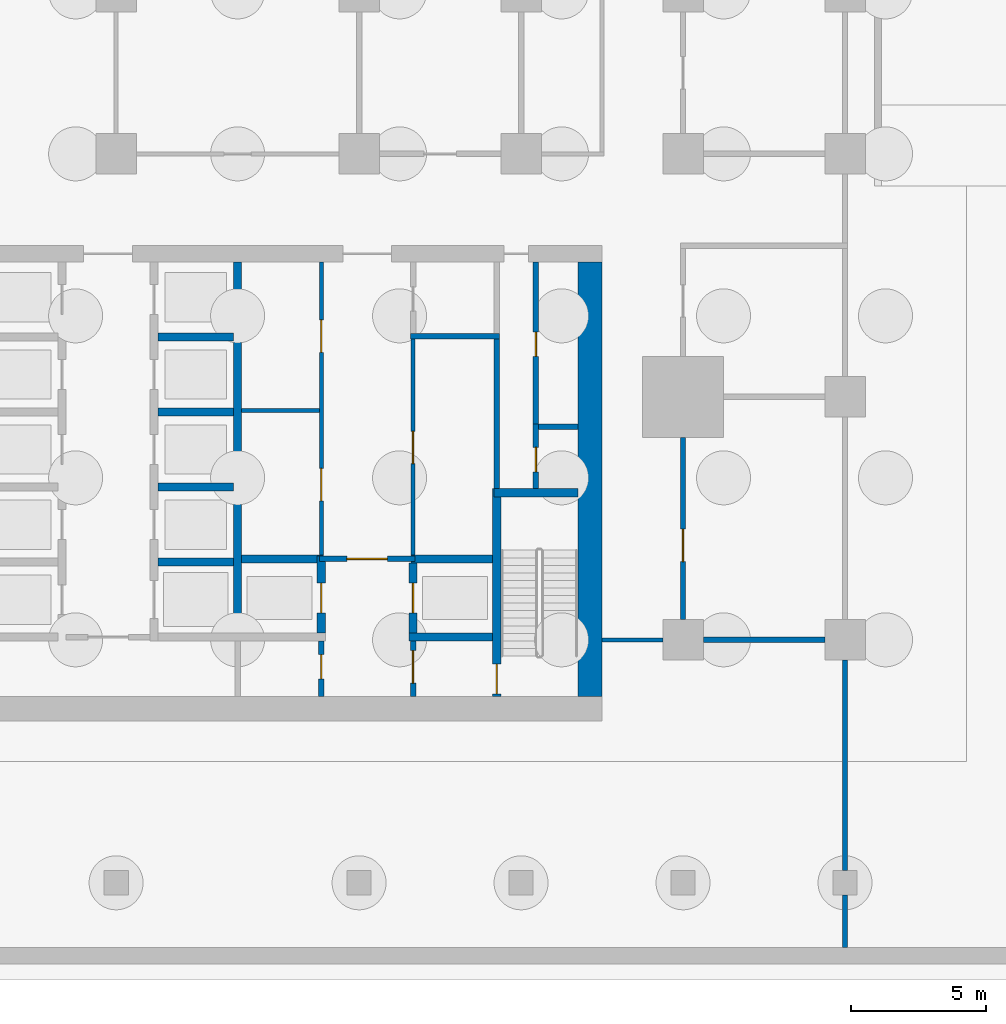
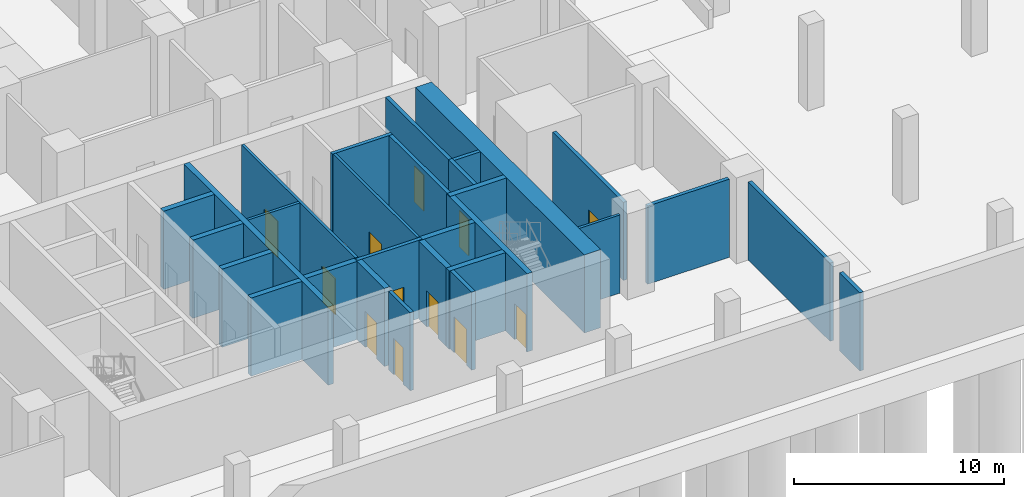
# One storey, part 6 of 12: 29 walls, 12 doors, 12 openings.
"""IFC4 building model written with IfcOpenShell, lengths in metres."""

from ifc_helpers import new_model, si_unit, direction, frame, frame_2d, origin, place, context, subcontext, project, spatial, rectangle, extrude, material, layer, layer_set, type_object, element, fill, save


model = new_model("IFC4")

# Units and contexts
model_context = context("Model", 3, precision=1e-05, world=origin(), true_north=direction((0.0, 1.0)))
body_context = subcontext(model_context, "Body", "Model", "MODEL_VIEW")
ifc_project = project(units=[si_unit("LENGTHUNIT", "METRE"), si_unit("AREAUNIT", "SQUARE_METRE"), si_unit("VOLUMEUNIT", "CUBIC_METRE"), si_unit("PLANEANGLEUNIT", "RADIAN"), si_unit("MASSUNIT", "GRAM", prefix="KILO")], contexts=[model_context])

# Site, building, storey
site_placement = place(None, origin())
site = spatial("IfcSite", under=ifc_project, at=site_placement, CompositionType="ELEMENT")
building_placement = place(site_placement, origin())
building = spatial("IfcBuilding", under=site, at=building_placement, Name="Finial Court Residences", CompositionType="ELEMENT")
storey_placement = place(building_placement, frame((0.0, 0.0, -5.0)))
storey = spatial("IfcBuildingStorey", under=building, at=storey_placement, Name="B1", CompositionType="ELEMENT", Elevation=-5.0)

# Walls
ifc_material_1 = material(Name="Concrete C25/30", Category="concrete")
ifc_layer_1 = layer(ifc_material_1, 0.14990234375)
ifc_layer_set_1 = layer_set([ifc_layer_1], Name="Basement partition 150 Concrete C25/30")
wall_type_1 = type_object("IfcWallType", Name="Basement partition 150 Concrete C25/30", PredefinedType="PARTITIONING", material=ifc_layer_set_1)
wall_1_placement = place(storey_placement, frame((13.5, -22.5, 0.0), z_axis=(0.0, 0.0, 1.0), x_axis=(1.0, 0.0, 0.0)))
element("IfcWall", 1, at=wall_1_placement, inside=storey, type_object=wall_type_1, Name="Basement partition B1-V004", PredefinedType="PARTITIONING", context=body_context, shape_type="SweptSolid", body=[
    extrude(rectangle(XDim=2.25, YDim=0.14990234375, at=frame_2d((1.125, 0.0))), origin(), (0.0, 0.0, 1.0), 4.550048828125),
])
ifc_material_2 = material(Name="Concrete C80/95", Category="concrete")
ifc_layer_2 = layer(ifc_material_2, 0.89990234375)
ifc_layer_set_2 = layer_set([ifc_layer_2], Name="Core outer wall 900 Concrete C80/95")
wall_type_2 = type_object("IfcWallType", Name="Core outer wall 900 Concrete C80/95", PredefinedType="SHEAR", material=ifc_layer_set_2)
wall_2_placement = place(storey_placement, frame((13.050048828125, -24.60009765625, 0.0), z_axis=(0.0, 0.0, 1.0), x_axis=(0.0, 1.0, 0.0)))
element("IfcWall", 2, at=wall_2_placement, inside=storey, type_object=wall_type_2, Name="Core outer wall B1-04", PredefinedType="SHEAR", context=body_context, shape_type="SweptSolid", body=[
    extrude(rectangle(XDim=16.10009765625, YDim=0.89990234375, at=frame_2d((8.050048828125, 0.0))), origin(), (0.0, 0.0, 1.0), 4.550048828125),
])
ifc_material_3 = material(Name="Fire-rated gypsum board partition")
ifc_layer_3 = layer(ifc_material_3, 0.14990234375)
ifc_layer_set_3 = layer_set([ifc_layer_3], Name="Core room partition 150 EI 60")
wall_type_3 = type_object("IfcWallType", Name="Core room partition 150 EI 60", PredefinedType="PARTITIONING", material=ifc_layer_set_3)
wall_3_placement = place(storey_placement, frame((0.14990234375, -14.0, 0.0), z_axis=(0.0, 0.0, 1.0), x_axis=(1.0, 0.0, 0.0)))
element("IfcWall", 3, at=wall_3_placement, inside=storey, type_object=wall_type_3, Name="Core partition B1-17", PredefinedType="PARTITIONING", context=body_context, shape_type="SweptSolid", body=[
    extrude(rectangle(XDim=2.875, YDim=0.14990234375, at=frame_2d((1.4375, 0.0))), origin(), (0.0, 0.0, 1.0), 4.550048828125),
])

# Wall, openings, doors
wall_4_placement = place(storey_placement, frame((3.10009765625, -19.39990234375, 0.0), z_axis=(0.0, 0.0, 1.0), x_axis=(0.0, 1.0, 0.0)))
wall_4 = element("IfcWall", 4, at=wall_4_placement, inside=storey, type_object=wall_type_3, Name="Core partition B1-29", PredefinedType="PARTITIONING", context=body_context, shape_type="SweptSolid", body=[
    extrude(rectangle(XDim=10.89990234375, YDim=0.14990234375, at=frame_2d((5.449951171875, 0.0))), origin(), (0.0, 0.0, 1.0), 4.550048828125),
])
opening_1_placement = place(wall_4_placement, frame((2.050048828125, 0.0, 0.0)))
opening_1 = element("IfcOpeningElement", 5, at=opening_1_placement, cuts=wall_4, Name="Opening B1-C12", PredefinedType="OPENING", context=body_context, shape_type="SweptSolid", body=[
    extrude(rectangle(XDim=1.199951171875, YDim=2.10009765625, at=frame_2d((0.60009765625, 1.050048828125))), frame((0.0, 0.0849609375, 0.0), z_axis=(0.0, -1.0, 0.0), x_axis=(1.0, 0.0, 0.0)), (0.0, 0.0, 1.0), 0.169921875),
])
opening_2_placement = place(wall_4_placement, frame((7.550048828125, 0.0, 0.0)))
opening_2 = element("IfcOpeningElement", 6, at=opening_2_placement, cuts=wall_4, Name="Opening B1-C13", PredefinedType="OPENING", context=body_context, shape_type="SweptSolid", body=[
    extrude(rectangle(XDim=1.199951171875, YDim=2.10009765625, at=frame_2d((0.60009765625, 1.050048828125))), frame((0.0, 0.0849609375, 0.0), z_axis=(0.0, -1.0, 0.0), x_axis=(1.0, 0.0, 0.0)), (0.0, 0.0, 1.0), 0.169921875),
])
ifc_material_4 = material(Name="Steel fire door", Category="steel")
door_type_1 = type_object("IfcDoorType", Name="Core room door 1200 x 2100 EI 60", OperationType="NOTDEFINED", PredefinedType="DOOR", material=ifc_material_4)
door_1_placement = place(opening_1_placement, origin())
door_1 = element("IfcDoor", 7, at=door_1_placement, inside=storey, type_object=door_type_1, Name="Core room door B1-C12", OperationType="SINGLE_SWING_LEFT", OverallHeight=2.10009765625, OverallWidth=1.199951171875, PredefinedType="DOOR", context=body_context, shape_type="SweptSolid", body=[
    extrude(rectangle(XDim=1.199951171875, YDim=2.10009765625, at=frame_2d((0.60009765625, 1.050048828125))), frame((0.0, 0.02490234375, 0.0), z_axis=(0.0, -1.0, 0.0), x_axis=(1.0, 0.0, 0.0)), (0.0, 0.0, 1.0), 0.050048828125),
])
fill(opening_1, door_1)
door_2_placement = place(opening_2_placement, origin())
door_2 = element("IfcDoor", 8, at=door_2_placement, inside=storey, type_object=door_type_1, Name="Core room door B1-C13", OperationType="SINGLE_SWING_LEFT", OverallHeight=2.10009765625, OverallWidth=1.199951171875, PredefinedType="DOOR", context=body_context, shape_type="SweptSolid", body=[
    extrude(rectangle(XDim=1.199951171875, YDim=2.10009765625, at=frame_2d((0.60009765625, 1.050048828125))), frame((0.0, 0.02490234375, 0.0), z_axis=(0.0, -1.0, 0.0), x_axis=(1.0, 0.0, 0.0)), (0.0, 0.0, 1.0), 0.050048828125),
])
fill(opening_2, door_2)

# Wall, opening, door
wall_5_placement = place(storey_placement, frame((6.5, -11.35009765625, 0.0), z_axis=(0.0, 0.0, 1.0), x_axis=(0.0, -1.0, 0.0)))
wall_5 = element("IfcWall", 9, at=wall_5_placement, inside=storey, type_object=wall_type_3, Name="Core partition B1-32", PredefinedType="PARTITIONING", context=body_context, shape_type="SweptSolid", body=[
    extrude(rectangle(XDim=8.0, YDim=0.14990234375, at=frame_2d((4.0, 0.0))), origin(), (0.0, 0.0, 1.0), 4.550048828125),
])
opening_3_placement = place(wall_5_placement, frame((3.425048828125, 0.0, 0.0)))
opening_3 = element("IfcOpeningElement", 10, at=opening_3_placement, cuts=wall_5, Name="Opening B1-C14", PredefinedType="OPENING", context=body_context, shape_type="SweptSolid", body=[
    extrude(rectangle(XDim=1.199951171875, YDim=2.10009765625, at=frame_2d((0.60009765625, 1.050048828125))), frame((0.0, 0.0849609375, 0.0), z_axis=(0.0, -1.0, 0.0), x_axis=(1.0, 0.0, 0.0)), (0.0, 0.0, 1.0), 0.169921875),
])
door_3_placement = place(opening_3_placement, origin())
door_3 = element("IfcDoor", 11, at=door_3_placement, inside=storey, type_object=door_type_1, Name="Core room door B1-C14", OperationType="SINGLE_SWING_RIGHT", OverallHeight=2.10009765625, OverallWidth=1.199951171875, PredefinedType="DOOR", context=body_context, shape_type="SweptSolid", body=[
    extrude(rectangle(XDim=1.199951171875, YDim=2.10009765625, at=frame_2d((0.60009765625, 1.050048828125))), frame((0.0, 0.02490234375, 0.0), z_axis=(0.0, -1.0, 0.0), x_axis=(1.0, 0.0, 0.0)), (0.0, 0.0, 1.0), 0.050048828125),
])
fill(opening_3, door_3)

ifc_layer_4 = layer(ifc_material_3, 0.199951171875)
ifc_layer_set_4 = layer_set([ifc_layer_4], Name="Firefighting lobby wall 200 EI 120")
wall_type_4 = type_object("IfcWallType", Name="Firefighting lobby wall 200 EI 120", PredefinedType="PARTITIONING", material=ifc_layer_set_4)
wall_6_placement = place(storey_placement, frame((6.574951171875, -19.5, 0.0), z_axis=(0.0, 0.0, 1.0), x_axis=(-1.0, 0.0, 0.0)))
wall_6 = element("IfcWall", 12, at=wall_6_placement, inside=storey, type_object=wall_type_4, Name="Core partition B1-08", PredefinedType="PARTITIONING", context=body_context, shape_type="SweptSolid", body=[
    extrude(rectangle(XDim=3.550048828125, YDim=0.199951171875, at=frame_2d((1.77490234375, 0.0))), origin(), (0.0, 0.0, 1.0), 4.550048828125),
])
opening_4_placement = place(wall_6_placement, frame((1.02490234375, 0.0, 0.0)))
opening_4 = element("IfcOpeningElement", 13, at=opening_4_placement, cuts=wall_6, Name="Opening B1-C02", PredefinedType="OPENING", context=body_context, shape_type="SweptSolid", body=[
    extrude(rectangle(XDim=1.5, YDim=2.10009765625, at=frame_2d((0.75, 1.050048828125))), frame((0.0, 0.10986328125, 0.0), z_axis=(0.0, -1.0, 0.0), x_axis=(1.0, 0.0, 0.0)), (0.0, 0.0, 1.0), 0.219970703125),
])
door_type_2 = type_object("IfcDoorType", Name="Firefighting lobby door 1500 x 2100 EI 90", OperationType="DOUBLE_DOOR_SINGLE_SWING", PredefinedType="DOOR", material=ifc_material_4)
door_4_placement = place(opening_4_placement, origin())
door_4 = element("IfcDoor", 14, at=door_4_placement, inside=storey, type_object=door_type_2, Name="Firefighting lobby door B1-C02", OperationType="DOUBLE_DOOR_SINGLE_SWING", OverallHeight=2.10009765625, OverallWidth=1.5, PredefinedType="DOOR", context=body_context, shape_type="SweptSolid", body=[
    extrude(rectangle(XDim=1.5, YDim=2.10009765625, at=frame_2d((0.75, 1.050048828125))), frame((0.0, 0.02490234375, 0.0), z_axis=(0.0, -1.0, 0.0), x_axis=(1.0, 0.0, 0.0)), (0.0, 0.0, 1.0), 0.050048828125),
])
fill(opening_4, door_4)

wall_7_placement = place(storey_placement, frame((3.10009765625, -24.60009765625, 0.0), z_axis=(0.0, 0.0, 1.0), x_axis=(0.0, 1.0, 0.0)))
wall_7 = element("IfcWall", 15, at=wall_7_placement, inside=storey, type_object=wall_type_4, Name="Core partition B1-27", PredefinedType="PARTITIONING", context=body_context, shape_type="SweptSolid", body=[
    extrude(rectangle(XDim=2.050048828125, YDim=0.199951171875, at=frame_2d((1.02490234375, 0.0))), origin(), (0.0, 0.0, 1.0), 4.550048828125),
])
opening_5_placement = place(wall_7_placement, frame((0.64990234375, 0.0, 0.0)))
opening_5 = element("IfcOpeningElement", 16, at=opening_5_placement, cuts=wall_7, Name="Opening B1-C06", PredefinedType="OPENING", context=body_context, shape_type="SweptSolid", body=[
    extrude(rectangle(XDim=0.89990234375, YDim=2.10009765625, at=frame_2d((0.449951171875, 1.050048828125))), frame((0.0, 0.10986328125, 0.0), z_axis=(0.0, -1.0, 0.0), x_axis=(1.0, 0.0, 0.0)), (0.0, 0.0, 1.0), 0.219970703125),
])
door_type_3 = type_object("IfcDoorType", Name="Riser room door 900 x 2100 EI 90", OperationType="NOTDEFINED", PredefinedType="DOOR", material=ifc_material_4)
door_5_placement = place(opening_5_placement, origin())
door_5 = element("IfcDoor", 17, at=door_5_placement, inside=storey, type_object=door_type_3, Name="Riser room door B1-C06", OperationType="SINGLE_SWING_LEFT", OverallHeight=2.10009765625, OverallWidth=0.89990234375, PredefinedType="DOOR", context=body_context, shape_type="SweptSolid", body=[
    extrude(rectangle(XDim=0.89990234375, YDim=2.10009765625, at=frame_2d((0.449951171875, 1.050048828125))), frame((0.0, 0.02490234375, 0.0), z_axis=(0.0, -1.0, 0.0), x_axis=(1.0, 0.0, 0.0)), (0.0, 0.0, 1.0), 0.050048828125),
])
fill(opening_5, door_5)

wall_8_placement = place(storey_placement, frame((6.5, -22.550048828125, 0.0), z_axis=(0.0, 0.0, 1.0), x_axis=(0.0, -1.0, 0.0)))
wall_8 = element("IfcWall", 18, at=wall_8_placement, inside=storey, type_object=wall_type_4, Name="Core partition B1-30", PredefinedType="PARTITIONING", context=body_context, shape_type="SweptSolid", body=[
    extrude(rectangle(XDim=2.050048828125, YDim=0.199951171875, at=frame_2d((1.02490234375, 0.0))), origin(), (0.0, 0.0, 1.0), 4.550048828125),
])
opening_6_placement = place(wall_8_placement, frame((0.35009765625, 0.0, 0.0)))
opening_6 = element("IfcOpeningElement", 19, at=opening_6_placement, cuts=wall_8, Name="Opening B1-C01", PredefinedType="OPENING", context=body_context, shape_type="SweptSolid", body=[
    extrude(rectangle(XDim=1.199951171875, YDim=2.10009765625, at=frame_2d((0.60009765625, 1.050048828125))), frame((0.0, 0.10986328125, 0.0), z_axis=(0.0, -1.0, 0.0), x_axis=(1.0, 0.0, 0.0)), (0.0, 0.0, 1.0), 0.219970703125),
])
door_type_4 = type_object("IfcDoorType", Name="Firefighting lobby door 1200 x 2100 EI 90", OperationType="NOTDEFINED", PredefinedType="DOOR", material=ifc_material_4)
door_6_placement = place(opening_6_placement, origin())
door_6 = element("IfcDoor", 20, at=door_6_placement, inside=storey, type_object=door_type_4, Name="Firefighting lobby door B1-C01", OperationType="SINGLE_SWING_RIGHT", OverallHeight=2.10009765625, OverallWidth=1.199951171875, PredefinedType="DOOR", context=body_context, shape_type="SweptSolid", body=[
    extrude(rectangle(XDim=1.199951171875, YDim=2.10009765625, at=frame_2d((0.60009765625, 1.050048828125))), frame((0.0, 0.02490234375, 0.0), z_axis=(0.0, -1.0, 0.0), x_axis=(1.0, 0.0, 0.0)), (0.0, 0.0, 1.0), 0.050048828125),
])
fill(opening_6, door_6)

# Walls
ifc_material_5 = material(Name="Concrete C32/40", Category="concrete")
ifc_layer_5 = layer(ifc_material_5, 0.199951171875)
ifc_layer_set_5 = layer_set([ifc_layer_5], Name="Garage separation wall 200 Concrete C32/40")
wall_type_5 = type_object("IfcWallType", Name="Garage separation wall 200 Concrete C32/40", PredefinedType="SOLIDWALL", material=ifc_layer_set_5)
wall_9_placement = place(storey_placement, frame((22.5, -33.89990234375, 0.0), z_axis=(0.0, 0.0, 1.0), x_axis=(0.0, 1.0, 0.0)))
element("IfcWall", 21, at=wall_9_placement, inside=storey, type_object=wall_type_5, Name="Garage separation wall B1-V096", PredefinedType="SOLIDWALL", context=body_context, shape_type="SweptSolid", body=[
    extrude(rectangle(XDim=1.949951171875, YDim=0.199951171875, at=frame_2d((0.97509765625, 0.0))), origin(), (0.0, 0.0, 1.0), 4.550048828125),
])
wall_10_placement = place(storey_placement, frame((22.5, -31.050048828125, 0.0), z_axis=(0.0, 0.0, 1.0), x_axis=(0.0, 1.0, 0.0)))
element("IfcWall", 22, at=wall_10_placement, inside=storey, type_object=wall_type_5, Name="Garage separation wall B1-V097", PredefinedType="SOLIDWALL", context=body_context, shape_type="SweptSolid", body=[
    extrude(rectangle(XDim=7.800048828125, YDim=0.199951171875, at=frame_2d((3.89990234375, 0.0))), origin(), (0.0, 0.0, 1.0), 4.550048828125),
])
ifc_layer_6 = layer(ifc_material_2, 0.300048828125)
ifc_layer_set_6 = layer_set([ifc_layer_6], Name="Lift shaft and stair wall 300 Concrete C80/95")
wall_type_6 = type_object("IfcWallType", Name="Lift shaft and stair wall 300 Concrete C80/95", PredefinedType="SHEAR", material=ifc_layer_set_6)
wall_11_placement = place(storey_placement, frame((6.35009765625, -22.39990234375, 0.0), z_axis=(0.0, 0.0, 1.0), x_axis=(1.0, 0.0, 0.0)))
element("IfcWall", 23, at=wall_11_placement, inside=storey, type_object=wall_type_6, Name="Core wall B1-04", PredefinedType="SHEAR", context=body_context, shape_type="SweptSolid", body=[
    extrude(rectangle(XDim=3.099853515625, YDim=0.300048828125, at=frame_2d((1.5498046875, 0.0))), origin(), (0.0, 0.0, 1.0), 4.550048828125),
])
wall_12_placement = place(storey_placement, frame((-2.949951171875, -19.6201171875, 0.0), z_axis=(0.0, 0.0, 1.0), x_axis=(1.0, 0.0, 0.0)))
element("IfcWall", 24, at=wall_12_placement, inside=storey, type_object=wall_type_6, Name="Core wall B1-06", PredefinedType="SHEAR", context=body_context, shape_type="SweptSolid", body=[
    extrude(rectangle(XDim=2.800048828125, YDim=0.300048828125, at=frame_2d((1.39990234375, 0.0))), origin(), (0.0, 0.0, 1.0), 4.550048828125),
])
wall_13_placement = place(storey_placement, frame((0.14990234375, -19.5, 0.0), z_axis=(0.0, 0.0, 1.0), x_axis=(1.0, 0.0, 0.0)))
element("IfcWall", 25, at=wall_13_placement, inside=storey, type_object=wall_type_6, Name="Core wall B1-07", PredefinedType="SHEAR", context=body_context, shape_type="SweptSolid", body=[
    extrude(rectangle(XDim=3.025146484375, YDim=0.300048828125, at=frame_2d((1.5126953125, 0.0))), origin(), (0.0, 0.0, 1.0), 4.550048828125),
])
wall_14_placement = place(storey_placement, frame((6.425048828125, -19.5, 0.0), z_axis=(0.0, 0.0, 1.0), x_axis=(1.0, 0.0, 0.0)))
element("IfcWall", 26, at=wall_14_placement, inside=storey, type_object=wall_type_6, Name="Core wall B1-09", PredefinedType="SHEAR", context=body_context, shape_type="SweptSolid", body=[
    extrude(rectangle(XDim=3.02490234375, YDim=0.300048828125, at=frame_2d((1.512451171875, 0.0))), origin(), (0.0, 0.0, 1.0), 4.550048828125),
])
wall_15_placement = place(storey_placement, frame((9.5, -17.050048828125, 0.0), z_axis=(0.0, 0.0, 1.0), x_axis=(1.0, 0.0, 0.0)))
element("IfcWall", 27, at=wall_15_placement, inside=storey, type_object=wall_type_6, Name="Core wall B1-11", PredefinedType="SHEAR", context=body_context, shape_type="SweptSolid", body=[
    extrude(rectangle(XDim=3.10009765625, YDim=0.300048828125, at=frame_2d((1.550048828125, 0.0))), origin(), (0.0, 0.0, 1.0), 4.550048828125),
])
for number, where, z_axis, x_axis, name in (
    (28, (-2.949951171875, -16.840087890625, 0.0), (0.0, 0.0, 1.0), (1.0, 0.0, 0.0), "Core wall B1-13"),
    (29, (-2.949951171875, -14.06005859375, 0.0), (0.0, 0.0, 1.0), (1.0, 0.0, 0.0), "Core wall B1-16"),
    (30, (-2.949951171875, -11.280029296875, 0.0), (0.0, 0.0, 1.0), (1.0, 0.0, 0.0), "Core wall B1-19"),
):
    element("IfcWall", number, at=place(storey_placement, frame(where, z_axis=z_axis, x_axis=x_axis)), inside=storey, type_object=wall_type_6, Name=name, PredefinedType="SHEAR", context=body_context, shape_type="SweptSolid", body=[
        extrude(rectangle(XDim=2.800048828125, YDim=0.300048828125, at=frame_2d((1.39990234375, 0.0))), origin(), (0.0, 0.0, 1.0), 4.550048828125),
    ])
wall_16_placement = place(storey_placement, frame((0.0, -22.25, 0.0), z_axis=(0.0, 0.0, 1.0), x_axis=(0.0, 1.0, 0.0)))
element("IfcWall", 31, at=wall_16_placement, inside=storey, type_object=wall_type_6, Name="Core wall B1-26", PredefinedType="SHEAR", context=body_context, shape_type="SweptSolid", body=[
    extrude(rectangle(XDim=13.75, YDim=0.300048828125, at=frame_2d((6.875, 0.0))), origin(), (0.0, 0.0, 1.0), 4.550048828125),
])

# Wall, opening, door
wall_17_placement = place(storey_placement, frame((3.10009765625, -22.25, 0.0), z_axis=(0.0, 0.0, 1.0), x_axis=(0.0, 1.0, 0.0)))
wall_17 = element("IfcWall", 32, at=wall_17_placement, inside=storey, type_object=wall_type_6, Name="Core wall B1-28", PredefinedType="SHEAR", context=body_context, shape_type="SweptSolid", body=[
    extrude(rectangle(XDim=2.85009765625, YDim=0.300048828125, at=frame_2d((1.425048828125, 0.0))), origin(), (0.0, 0.0, 1.0), 4.550048828125),
])
opening_7_placement = place(wall_17_placement, frame((0.75, 0.0, 0.0)))
opening_7 = element("IfcOpeningElement", 33, at=opening_7_placement, cuts=wall_17, Name="Opening B1-LD01", PredefinedType="OPENING", context=body_context, shape_type="SweptSolid", body=[
    extrude(rectangle(XDim=1.10009765625, YDim=2.10009765625, at=frame_2d((0.550048828125, 1.050048828125))), frame((0.0, 0.159912109375, 0.0), z_axis=(0.0, -1.0, 0.0), x_axis=(1.0, 0.0, 0.0)), (0.0, 0.0, 1.0), 0.320068359375),
])
ifc_material_6 = material(Name="Stainless steel lift door", Category="steel")
door_type_5 = type_object("IfcDoorType", Name="Lift landing door 1100 x 2100 EI 90", OperationType="DOUBLE_DOOR_SLIDING", PredefinedType="DOOR", material=ifc_material_6)
door_7_placement = place(opening_7_placement, origin())
door_7 = element("IfcDoor", 34, at=door_7_placement, inside=storey, type_object=door_type_5, Name="Lift landing door FF1 B1", OperationType="DOUBLE_DOOR_SLIDING", OverallHeight=2.10009765625, OverallWidth=1.10009765625, PredefinedType="DOOR", context=body_context, shape_type="SweptSolid", body=[
    extrude(rectangle(XDim=1.10009765625, YDim=2.10009765625, at=frame_2d((0.550048828125, 1.050048828125))), frame((0.0, 0.02490234375, 0.0), z_axis=(0.0, -1.0, 0.0), x_axis=(1.0, 0.0, 0.0)), (0.0, 0.0, 1.0), 0.050048828125),
])
fill(opening_7, door_7)

wall_18_placement = place(storey_placement, frame((6.5, -22.25, 0.0), z_axis=(0.0, 0.0, 1.0), x_axis=(0.0, 1.0, 0.0)))
wall_18 = element("IfcWall", 35, at=wall_18_placement, inside=storey, type_object=wall_type_6, Name="Core wall B1-31", PredefinedType="SHEAR", context=body_context, shape_type="SweptSolid", body=[
    extrude(rectangle(XDim=2.60009765625, YDim=0.300048828125, at=frame_2d((1.300048828125, 0.0))), origin(), (0.0, 0.0, 1.0), 4.550048828125),
])
opening_8_placement = place(wall_18_placement, frame((0.75, 0.0, 0.0)))
opening_8 = element("IfcOpeningElement", 36, at=opening_8_placement, cuts=wall_18, Name="Opening B1-LD02", PredefinedType="OPENING", context=body_context, shape_type="SweptSolid", body=[
    extrude(rectangle(XDim=1.10009765625, YDim=2.10009765625, at=frame_2d((0.550048828125, 1.050048828125))), frame((0.0, 0.159912109375, 0.0), z_axis=(0.0, -1.0, 0.0), x_axis=(1.0, 0.0, 0.0)), (0.0, 0.0, 1.0), 0.320068359375),
])
door_8_placement = place(opening_8_placement, origin())
door_8 = element("IfcDoor", 37, at=door_8_placement, inside=storey, type_object=door_type_5, Name="Lift landing door FF2 B1", OperationType="DOUBLE_DOOR_SLIDING", OverallHeight=2.10009765625, OverallWidth=1.10009765625, PredefinedType="DOOR", context=body_context, shape_type="SweptSolid", body=[
    extrude(rectangle(XDim=1.10009765625, YDim=2.10009765625, at=frame_2d((0.550048828125, 1.050048828125))), frame((0.0, 0.02490234375, 0.0), z_axis=(0.0, -1.0, 0.0), x_axis=(1.0, 0.0, 0.0)), (0.0, 0.0, 1.0), 0.050048828125),
])
fill(opening_8, door_8)

wall_19_placement = place(storey_placement, frame((9.60009765625, -16.89990234375, 0.0), z_axis=(0.0, 0.0, 1.0), x_axis=(0.0, -1.0, 0.0)))
wall_19 = element("IfcWall", 38, at=wall_19_placement, inside=storey, type_object=wall_type_6, Name="Core wall B1-34", PredefinedType="SHEAR", context=body_context, shape_type="SweptSolid", body=[
    extrude(rectangle(XDim=7.7001953125, YDim=0.300048828125, at=frame_2d((3.85009765625, 0.0))), origin(), (0.0, 0.0, 1.0), 4.550048828125),
])
opening_9_placement = place(wall_19_placement, frame((6.5, 0.0, 0.0)))
opening_9 = element("IfcOpeningElement", 39, at=opening_9_placement, cuts=wall_19, Name="Opening B1-C16", PredefinedType="OPENING", context=body_context, shape_type="SweptSolid", body=[
    extrude(rectangle(XDim=1.10009765625, YDim=2.10009765625, at=frame_2d((0.550048828125, 1.050048828125))), frame((0.0, 0.159912109375, 0.0), z_axis=(0.0, -1.0, 0.0), x_axis=(1.0, 0.0, 0.0)), (0.0, 0.0, 1.0), 0.320068359375),
])
door_type_6 = type_object("IfcDoorType", Name="Stair door 1100 x 2100 EI 90", OperationType="NOTDEFINED", PredefinedType="DOOR", material=ifc_material_4)
door_9_placement = place(opening_9_placement, origin())
door_9 = element("IfcDoor", 40, at=door_9_placement, inside=storey, type_object=door_type_6, Name="Stair door B1-C16", OperationType="SINGLE_SWING_RIGHT", OverallHeight=2.10009765625, OverallWidth=1.10009765625, PredefinedType="DOOR", context=body_context, shape_type="SweptSolid", body=[
    extrude(rectangle(XDim=1.10009765625, YDim=2.10009765625, at=frame_2d((0.550048828125, 1.050048828125))), frame((0.0, 0.02490234375, 0.0), z_axis=(0.0, -1.0, 0.0), x_axis=(1.0, 0.0, 0.0)), (0.0, 0.0, 1.0), 0.050048828125),
])
fill(opening_9, door_9)

# Wall
ifc_layer_7 = layer(ifc_material_5, 0.199951171875)
ifc_layer_set_7 = layer_set([ifc_layer_7], Name="Plant room wall 200 Concrete C32/40")
wall_type_7 = type_object("IfcWallType", Name="Plant room wall 200 Concrete C32/40", PredefinedType="SOLIDWALL", material=ifc_layer_set_7)
wall_20_placement = place(storey_placement, frame((17.25, -22.5, 0.0), z_axis=(0.0, 0.0, 1.0), x_axis=(1.0, 0.0, 0.0)))
element("IfcWall", 41, at=wall_20_placement, inside=storey, type_object=wall_type_7, Name="Plant room wall B1-V005", PredefinedType="SOLIDWALL", context=body_context, shape_type="SweptSolid", body=[
    extrude(rectangle(XDim=4.5, YDim=0.199951171875, at=frame_2d((2.25, 0.0))), origin(), (0.0, 0.0, 1.0), 4.550048828125),
])

# Wall, opening, door
wall_21_placement = place(storey_placement, frame((16.5, -21.75, 0.0), z_axis=(0.0, 0.0, 1.0), x_axis=(0.0, 1.0, 0.0)))
wall_21 = element("IfcWall", 42, at=wall_21_placement, inside=storey, type_object=wall_type_7, Name="Plant room wall B1-V088", PredefinedType="SOLIDWALL", context=body_context, shape_type="SweptSolid", body=[
    extrude(rectangle(XDim=6.75, YDim=0.199951171875, at=frame_2d((3.375, 0.0))), origin(), (0.0, 0.0, 1.0), 4.550048828125),
])
opening_10_placement = place(wall_21_placement, frame((2.14990234375, 0.0, 0.0)))
opening_10 = element("IfcOpeningElement", 43, at=opening_10_placement, cuts=wall_21, Name="Opening B1-V20", PredefinedType="OPENING", context=body_context, shape_type="SweptSolid", body=[
    extrude(rectangle(XDim=1.199951171875, YDim=2.10009765625, at=frame_2d((0.60009765625, 1.050048828125))), frame((0.0, 0.10986328125, 0.0), z_axis=(0.0, -1.0, 0.0), x_axis=(1.0, 0.0, 0.0)), (0.0, 0.0, 1.0), 0.219970703125),
])
door_type_7 = type_object("IfcDoorType", Name="Plant room door 1200 x 2100 EI 90", OperationType="NOTDEFINED", PredefinedType="DOOR", material=ifc_material_4)
door_10_placement = place(opening_10_placement, origin())
door_10 = element("IfcDoor", 44, at=door_10_placement, inside=storey, type_object=door_type_7, Name="Plant room door B1-V20", OperationType="SINGLE_SWING_LEFT", OverallHeight=2.10009765625, OverallWidth=1.199951171875, PredefinedType="DOOR", context=body_context, shape_type="SweptSolid", body=[
    extrude(rectangle(XDim=1.199951171875, YDim=2.10009765625, at=frame_2d((0.60009765625, 1.050048828125))), frame((0.0, 0.02490234375, 0.0), z_axis=(0.0, -1.0, 0.0), x_axis=(1.0, 0.0, 0.0)), (0.0, 0.0, 1.0), 0.050048828125),
])
fill(opening_10, door_10)

# Walls
ifc_layer_8 = layer(ifc_material_3, 0.199951171875)
ifc_layer_set_8 = layer_set([ifc_layer_8], Name="Riser room wall 200 EI 120")
wall_type_8 = type_object("IfcWallType", Name="Riser room wall 200 EI 120", PredefinedType="PARTITIONING", material=ifc_layer_set_8)
wall_22_placement = place(storey_placement, frame((11.14990234375, -14.60009765625, 0.0), z_axis=(0.0, 0.0, 1.0), x_axis=(1.0, 0.0, 0.0)))
element("IfcWall", 45, at=wall_22_placement, inside=storey, type_object=wall_type_8, Name="Core partition B1-14", PredefinedType="PARTITIONING", context=body_context, shape_type="SweptSolid", body=[
    extrude(rectangle(XDim=1.4501953125, YDim=0.199951171875, at=frame_2d((0.72509765625, 0.0))), origin(), (0.0, 0.0, 1.0), 4.550048828125),
])
wall_23_placement = place(storey_placement, frame((6.39990234375, -11.25, 0.0), z_axis=(0.0, 0.0, 1.0), x_axis=(1.0, 0.0, 0.0)))
element("IfcWall", 46, at=wall_23_placement, inside=storey, type_object=wall_type_8, Name="Core partition B1-20", PredefinedType="PARTITIONING", context=body_context, shape_type="SweptSolid", body=[
    extrude(rectangle(XDim=3.300048828125, YDim=0.199951171875, at=frame_2d((1.64990234375, 0.0))), origin(), (0.0, 0.0, 1.0), 4.550048828125),
])

# Wall, opening, door
wall_24_placement = place(storey_placement, frame((11.050048828125, -8.5, 0.0), z_axis=(0.0, 0.0, 1.0), x_axis=(0.0, -1.0, 0.0)))
wall_24 = element("IfcWall", 47, at=wall_24_placement, inside=storey, type_object=wall_type_8, Name="Core partition B1-38", PredefinedType="PARTITIONING", context=body_context, shape_type="SweptSolid", body=[
    extrude(rectangle(XDim=6.199951171875, YDim=0.199951171875, at=frame_2d((3.10009765625, 0.0))), origin(), (0.0, 0.0, 1.0), 4.550048828125),
])
opening_11_placement = place(wall_24_placement, frame((2.60009765625, 0.0, 0.0)))
opening_11 = element("IfcOpeningElement", 48, at=opening_11_placement, cuts=wall_24, Name="Opening B1-C07", PredefinedType="OPENING", context=body_context, shape_type="SweptSolid", body=[
    extrude(rectangle(XDim=0.89990234375, YDim=2.10009765625, at=frame_2d((0.449951171875, 1.050048828125))), frame((0.0, 0.10986328125, 0.0), z_axis=(0.0, -1.0, 0.0), x_axis=(1.0, 0.0, 0.0)), (0.0, 0.0, 1.0), 0.219970703125),
])
door_11_placement = place(opening_11_placement, origin())
door_11 = element("IfcDoor", 49, at=door_11_placement, inside=storey, type_object=door_type_3, Name="Riser room door B1-C07", OperationType="SINGLE_SWING_RIGHT", OverallHeight=2.10009765625, OverallWidth=0.89990234375, PredefinedType="DOOR", context=body_context, shape_type="SweptSolid", body=[
    extrude(rectangle(XDim=0.89990234375, YDim=2.10009765625, at=frame_2d((0.449951171875, 1.050048828125))), frame((0.0, 0.02490234375, 0.0), z_axis=(0.0, -1.0, 0.0), x_axis=(1.0, 0.0, 0.0)), (0.0, 0.0, 1.0), 0.050048828125),
])
fill(opening_11, door_11)

# Wall
ifc_layer_9 = layer(ifc_material_3, 0.199951171875)
ifc_layer_set_9 = layer_set([ifc_layer_9], Name="Stair passage wall 200 EI 180")
wall_type_9 = type_object("IfcWallType", Name="Stair passage wall 200 EI 180", PredefinedType="PARTITIONING", material=ifc_layer_set_9)
wall_25_placement = place(storey_placement, frame((9.60009765625, -16.89990234375, 0.0), z_axis=(0.0, 0.0, 1.0), x_axis=(0.0, 1.0, 0.0)))
element("IfcWall", 50, at=wall_25_placement, inside=storey, type_object=wall_type_9, Name="Core partition B1-35", PredefinedType="PARTITIONING", context=body_context, shape_type="SweptSolid", body=[
    extrude(rectangle(XDim=5.75, YDim=0.199951171875, at=frame_2d((2.875, 0.0))), origin(), (0.0, 0.0, 1.0), 4.550048828125),
])

# Wall, opening, door
wall_26_placement = place(storey_placement, frame((11.050048828125, -14.5, 0.0), z_axis=(0.0, 0.0, 1.0), x_axis=(0.0, -1.0, 0.0)))
wall_26 = element("IfcWall", 51, at=wall_26_placement, inside=storey, type_object=wall_type_9, Name="Core partition B1-37", PredefinedType="PARTITIONING", context=body_context, shape_type="SweptSolid", body=[
    extrude(rectangle(XDim=2.39990234375, YDim=0.199951171875, at=frame_2d((1.199951171875, 0.0))), origin(), (0.0, 0.0, 1.0), 4.550048828125),
])
opening_12_placement = place(wall_26_placement, frame((0.875, 0.0, 0.0)))
opening_12 = element("IfcOpeningElement", 52, at=opening_12_placement, cuts=wall_26, Name="Opening B1-C11", PredefinedType="OPENING", context=body_context, shape_type="SweptSolid", body=[
    extrude(rectangle(XDim=0.89990234375, YDim=2.10009765625, at=frame_2d((0.449951171875, 1.050048828125))), frame((0.0, 0.10986328125, 0.0), z_axis=(0.0, -1.0, 0.0), x_axis=(1.0, 0.0, 0.0)), (0.0, 0.0, 1.0), 0.219970703125),
])
door_type_8 = type_object("IfcDoorType", Name="Core room door 900 x 2100 EI 60", OperationType="NOTDEFINED", PredefinedType="DOOR", material=ifc_material_4)
door_12_placement = place(opening_12_placement, origin())
door_12 = element("IfcDoor", 53, at=door_12_placement, inside=storey, type_object=door_type_8, Name="Core room door B1-C11", OperationType="SINGLE_SWING_LEFT", OverallHeight=2.10009765625, OverallWidth=0.89990234375, PredefinedType="DOOR", context=body_context, shape_type="SweptSolid", body=[
    extrude(rectangle(XDim=0.89990234375, YDim=2.10009765625, at=frame_2d((0.449951171875, 1.050048828125))), frame((0.0, 0.02490234375, 0.0), z_axis=(0.0, -1.0, 0.0), x_axis=(1.0, 0.0, 0.0)), (0.0, 0.0, 1.0), 0.050048828125),
])
fill(opening_12, door_12)

save(model, "model.ifc")
